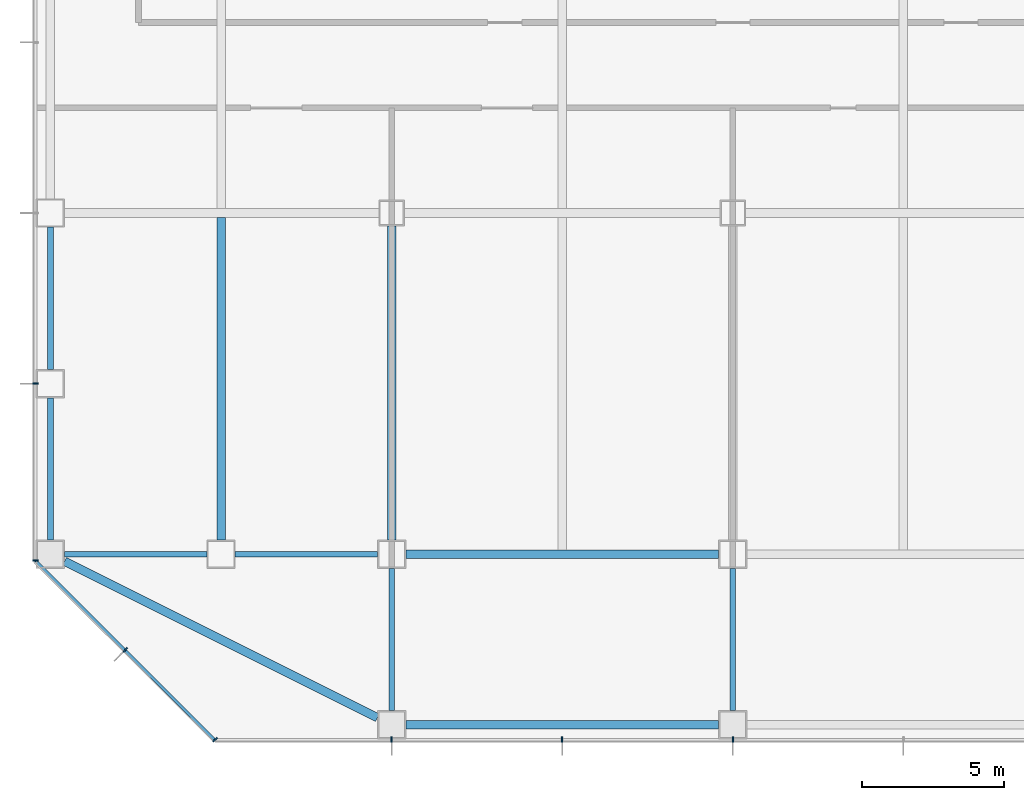
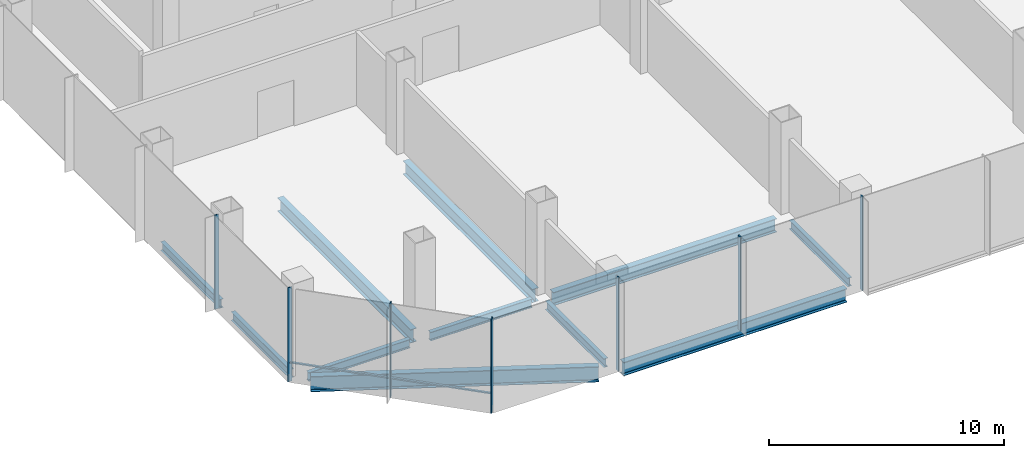
# One storey, part 2 of 34: 11 beams, 8 members, 3 elements without a shape of their own.
"""IFC4 building model written with IfcOpenShell, lengths in metres."""

from ifc_helpers import new_model, si_unit, direction, frame, origin, origin_2d, place, context, subcontext, project, spatial, rectangle, i_section, extrude, material, material_profile, profile_set, type_object, element, aggregate, save


model = new_model("IFC4")

# Units and contexts
model_context = context("Model", 3, precision=1e-05, world=origin(), true_north=direction((0.0, 1.0)))
body_context = subcontext(model_context, "Body", "Model", "MODEL_VIEW")
ifc_project = project(units=[si_unit("LENGTHUNIT", "METRE"), si_unit("AREAUNIT", "SQUARE_METRE"), si_unit("VOLUMEUNIT", "CUBIC_METRE"), si_unit("PLANEANGLEUNIT", "RADIAN"), si_unit("MASSUNIT", "GRAM", prefix="KILO")], contexts=[model_context])

# Site, building, storey
site_placement = place(None, origin())
site = spatial("IfcSite", under=ifc_project, at=site_placement, CompositionType="ELEMENT")
building_placement = place(site_placement, origin())
building = spatial("IfcBuilding", under=site, at=building_placement, Name="Sorahane Residences", CompositionType="ELEMENT")
storey_placement = place(building_placement, frame((0.0, 0.0, 39.60009765625)))
storey = spatial("IfcBuildingStorey", under=building, at=storey_placement, Name="L06", CompositionType="ELEMENT", Elevation=39.60009765625)

# Curtain wall, members
ifc_material_1 = material(Name="Dark low-e glass and black anodised aluminium", Category="aluminium")
curtain_wall_type = type_object("IfcCurtainWallType", Name="Curtain wall CW-3 Podium unitised wall", PredefinedType="NOTDEFINED", material=ifc_material_1)
curtain_wall_1_placement = place(storey_placement, origin())
curtain_wall_1 = element("IfcCurtainWall", 1, at=curtain_wall_1_placement, inside=storey, type_object=curtain_wall_type, Name="CW-3 curtain wall L06 S1", PredefinedType="NOTDEFINED")
ifc_material_2 = material(Name="Black anodised aluminium", Category="aluminium")
ifc_material_profile_1 = material_profile(ifc_material_2, rectangle(XDim=0.199951171875, YDim=0.050048828125, at=origin_2d()), Name="Curtain wall mullion CW-3 black anodised aluminium 50x200")
ifc_profile_set_1 = profile_set([ifc_material_profile_1], Name="Black anodised aluminium")
member_type_1 = type_object("IfcMemberType", Name="Curtain wall mullion CW-3 black anodised aluminium 50x200", PredefinedType="MULLION", material=ifc_profile_set_1)
member_1_placement = place(storey_placement, frame((12.0, -6.52001953125, -0.400146484375), z_axis=(0.0, 0.0, 1.0), x_axis=(0.0, -1.0, 0.0)))
member_1 = element("IfcMember", 2, at=member_1_placement, type_object=member_type_1, Name="CW-3 mullion L06 S1.2", PredefinedType="MULLION", context=body_context, shape_type="SweptSolid", body=[
    extrude(rectangle(XDim=0.199951171875, YDim=0.050048828125, at=origin_2d()), origin(), (0.0, 0.0, 1.0), 4.900146484375),
])
member_2_placement = place(storey_placement, frame((18.0, -6.52001953125, -0.400146484375), z_axis=(0.0, 0.0, 1.0), x_axis=(0.0, -1.0, 0.0)))
member_2 = element("IfcMember", 3, at=member_2_placement, type_object=member_type_1, Name="CW-3 mullion L06 S1.3", PredefinedType="MULLION", context=body_context, shape_type="SweptSolid", body=[
    extrude(rectangle(XDim=0.199951171875, YDim=0.050048828125, at=origin_2d()), origin(), (0.0, 0.0, 1.0), 4.900146484375),
])
member_3_placement = place(storey_placement, frame((24.0, -6.52001953125, -0.400146484375), z_axis=(0.0, 0.0, 1.0), x_axis=(0.0, -1.0, 0.0)))
member_3 = element("IfcMember", 4, at=member_3_placement, type_object=member_type_1, Name="CW-3 mullion L06 S1.4", PredefinedType="MULLION", context=body_context, shape_type="SweptSolid", body=[
    extrude(rectangle(XDim=0.199951171875, YDim=0.050048828125, at=origin_2d()), origin(), (0.0, 0.0, 1.0), 4.900146484375),
])
aggregate(curtain_wall_1, [member_1, member_2, member_3])

curtain_wall_2_placement = place(storey_placement, origin())
curtain_wall_2 = element("IfcCurtainWall", 5, at=curtain_wall_2_placement, inside=storey, type_object=curtain_wall_type, Name="CW-3 curtain wall L06 W1", PredefinedType="NOTDEFINED")
member_4_placement = place(storey_placement, frame((-0.52001953125, 6.0, -0.400146484375), z_axis=(0.0, 0.0, 1.0), x_axis=(-1.0, 0.0, 0.0)))
member_4 = element("IfcMember", 6, at=member_4_placement, type_object=member_type_1, Name="CW-3 mullion L06 W1.8", PredefinedType="MULLION", context=body_context, shape_type="SweptSolid", body=[
    extrude(rectangle(XDim=0.199951171875, YDim=0.050048828125, at=origin_2d()), origin(), (0.0, 0.0, 1.0), 4.900146484375),
])
member_5_placement = place(storey_placement, frame((-0.52001953125, -0.2236328125, -0.400146484375), z_axis=(0.0, 0.0, 1.0), x_axis=(-1.0, 0.0, 0.0)))
member_5 = element("IfcMember", 7, at=member_5_placement, type_object=member_type_1, Name="CW-3 mullion L06 W1.9", PredefinedType="MULLION", context=body_context, shape_type="SweptSolid", body=[
    extrude(rectangle(XDim=0.199951171875, YDim=0.050048828125, at=origin_2d()), origin(), (0.0, 0.0, 1.0), 4.900146484375),
])
aggregate(curtain_wall_2, [member_4, member_5])

curtain_wall_3_placement = place(storey_placement, origin())
curtain_wall_3 = element("IfcCurtainWall", 8, at=curtain_wall_3_placement, inside=storey, type_object=curtain_wall_type, Name="CW-3 curtain wall L06 SW1", PredefinedType="NOTDEFINED")
member_6_placement = place(storey_placement, frame((2.63232421875, -3.36767578125, -0.400146484375), z_axis=(0.0, 0.0, 1.0), x_axis=(-0.707106781187, -0.707106781187, 0.0)))
member_6 = element("IfcMember", 9, at=member_6_placement, type_object=member_type_1, Name="CW-3 mullion L06 SW1.2", PredefinedType="MULLION", context=body_context, shape_type="SweptSolid", body=[
    extrude(rectangle(XDim=0.199951171875, YDim=0.050048828125, at=origin_2d()), origin(), (0.0, 0.0, 1.0), 4.900146484375),
])
member_7_placement = place(storey_placement, frame((5.790283203125, -6.525634765625, -0.400146484375), z_axis=(0.0, 0.0, 1.0), x_axis=(-0.707106781187, -0.707106781187, 0.0)))
member_7 = element("IfcMember", 10, at=member_7_placement, type_object=member_type_1, Name="CW-3 mullion L06 SW1.3", PredefinedType="MULLION", context=body_context, shape_type="SweptSolid", body=[
    extrude(rectangle(XDim=0.199951171875, YDim=0.050048828125, at=origin_2d()), origin(), (0.0, 0.0, 1.0), 4.900146484375),
])
ifc_material_3 = material(Name="Black anodised aluminium", Category="aluminium")
ifc_material_profile_2 = material_profile(ifc_material_3, rectangle(XDim=0.10009765625, YDim=0.06005859375, at=origin_2d()), Name="Curtain wall transom CW-3 black anodised aluminium 60x100")
ifc_profile_set_2 = profile_set([ifc_material_profile_2], Name="Black anodised aluminium")
member_type_2 = type_object("IfcMemberType", Name="Curtain wall transom CW-3 black anodised aluminium 60x100", PredefinedType="USERDEFINED", material=ifc_profile_set_2)
member_8_placement = place(storey_placement, frame((-0.51513671875, -0.234375, 0.599853515625), z_axis=(0.707106781187, -0.707106781187, 0.0), x_axis=(0.707106781187, 0.707106781187, 0.0)))
member_8 = element("IfcMember", 11, at=member_8_placement, type_object=member_type_2, Name="CW-3 transom L06 SW1", ObjectType="TRANSOM", PredefinedType="USERDEFINED", context=body_context, shape_type="SweptSolid", body=[
    extrude(rectangle(XDim=0.10009765625, YDim=0.06005859375, at=origin_2d()), origin(), (0.0, 0.0, 1.0), 8.88232421875),
])
aggregate(curtain_wall_3, [member_6, member_7, member_8])

# Beams
ifc_material_4 = material(Name="Steel Q355B", Category="steel")
ifc_material_profile_3 = material_profile(ifc_material_4, i_section(OverallWidth=0.199951171875, OverallDepth=0.449951171875, WebThickness=0.009033203125, FlangeThickness=0.013916015625, FilletRadius=0.02001953125, at=origin_2d()), Name="HN 450x200x9x14")
ifc_profile_set_3 = profile_set([ifc_material_profile_3], Name="Steel Q355B")
beam_type_1 = type_object("IfcBeamType", Name="Steel floor beam HN 450x200x9x14 Q355B", PredefinedType="BEAM", material=ifc_profile_set_3)
for number, where, z_axis, x_axis, name in (
    (12, (0.5, 0.0, -0.625), (1.0, 0.0, 0.0), (0.0, 1.0, 0.0), "Beam L06 000"),
    (13, (6.5, 0.0, -0.625), (1.0, 0.0, 0.0), (0.0, 1.0, 0.0), "Beam L06 001"),
    (14, (0.0, 0.5, -0.625), (0.0, 1.0, 0.0), (-1.0, 0.0, 0.0), "Beam L06 024"),
    (15, (0.0, 6.5, -0.625), (0.0, 1.0, 0.0), (-1.0, 0.0, 0.0), "Beam L06 025"),
    (16, (12.0, -5.5, -0.625), (0.0, 1.0, 0.0), (-1.0, 0.0, 0.0), "Beam L06 035"),
    (17, (24.0, -5.5, -0.625), (0.0, 1.0, 0.0), (-1.0, 0.0, 0.0), "Beam L06 044"),
):
    element("IfcBeam", number, at=place(storey_placement, frame(where, z_axis=z_axis, x_axis=x_axis)), inside=storey, type_object=beam_type_1, Name=name, PredefinedType="BEAM", context=body_context, shape_type="SweptSolid", body=[
        extrude(i_section(OverallWidth=0.199951171875, OverallDepth=0.449951171875, WebThickness=0.009033203125, FlangeThickness=0.013916015625, FilletRadius=0.02001953125, at=origin_2d()), origin(), (0.0, 0.0, 1.0), 5.0),
    ])
ifc_material_5 = material(Name="Steel Q355B", Category="steel")
ifc_material_profile_4 = material_profile(ifc_material_5, i_section(OverallWidth=0.300048828125, OverallDepth=0.699951171875, WebThickness=0.012939453125, FlangeThickness=0.02392578125, FilletRadius=0.028076171875, at=origin_2d()), Name="HN 700x300x13x24")
ifc_profile_set_4 = profile_set([ifc_material_profile_4], Name="Steel Q355B")
beam_type_2 = type_object("IfcBeamType", Name="Steel floor beam HN 700x300x13x24 Q355B", PredefinedType="BEAM", material=ifc_profile_set_4)
beam_1_placement = place(storey_placement, frame((12.5, 0.0, -0.75), z_axis=(1.0, 0.0, 0.0), x_axis=(0.0, 1.0, 0.0)))
element("IfcBeam", 18, at=beam_1_placement, inside=storey, type_object=beam_type_2, Name="Beam L06 002", PredefinedType="BEAM", context=body_context, shape_type="SweptSolid", body=[
    extrude(i_section(OverallWidth=0.300048828125, OverallDepth=0.699951171875, WebThickness=0.012939453125, FlangeThickness=0.02392578125, FilletRadius=0.028076171875, at=origin_2d()), origin(), (0.0, 0.0, 1.0), 11.0),
])
beam_2_placement = place(storey_placement, frame((6.0, 0.5, -0.75), z_axis=(0.0, 1.0, 0.0), x_axis=(-1.0, 0.0, 0.0)))
element("IfcBeam", 19, at=beam_2_placement, inside=storey, type_object=beam_type_2, Name="Beam L06 029", PredefinedType="BEAM", context=body_context, shape_type="SweptSolid", body=[
    extrude(i_section(OverallWidth=0.300048828125, OverallDepth=0.699951171875, WebThickness=0.012939453125, FlangeThickness=0.02392578125, FilletRadius=0.028076171875, at=origin_2d()), origin(), (0.0, 0.0, 1.0), 11.35009765625),
])
beam_3_placement = place(storey_placement, frame((12.0, 0.5, -0.75), z_axis=(0.0, 1.0, 0.0), x_axis=(-1.0, 0.0, 0.0)))
element("IfcBeam", 20, at=beam_3_placement, inside=storey, type_object=beam_type_2, Name="Beam L06 036", PredefinedType="BEAM", context=body_context, shape_type="SweptSolid", body=[
    extrude(i_section(OverallWidth=0.300048828125, OverallDepth=0.699951171875, WebThickness=0.012939453125, FlangeThickness=0.02392578125, FilletRadius=0.028076171875, at=origin_2d()), origin(), (0.0, 0.0, 1.0), 11.050048828125),
])
beam_4_placement = place(storey_placement, frame((12.5, -6.0, -0.75), z_axis=(1.0, 0.0, 0.0), x_axis=(0.0, 1.0, 0.0)))
element("IfcBeam", 21, at=beam_4_placement, inside=storey, type_object=beam_type_2, Name="Beam L06 079", PredefinedType="BEAM", context=body_context, shape_type="SweptSolid", body=[
    extrude(i_section(OverallWidth=0.300048828125, OverallDepth=0.699951171875, WebThickness=0.012939453125, FlangeThickness=0.02392578125, FilletRadius=0.028076171875, at=origin_2d()), origin(), (0.0, 0.0, 1.0), 11.0),
])
ifc_material_6 = material(Name="Steel Q355B", Category="steel")
ifc_material_profile_5 = material_profile(ifc_material_6, i_section(OverallWidth=0.300048828125, OverallDepth=0.800048828125, WebThickness=0.013916015625, FlangeThickness=0.02587890625, FilletRadius=0.028076171875, at=origin_2d()), Name="HN 800x300x14x26")
ifc_profile_set_5 = profile_set([ifc_material_profile_5], Name="Steel Q355B")
beam_type_3 = type_object("IfcBeamType", Name="Steel floor beam HN 800x300x14x26 Q355B", PredefinedType="BEAM", material=ifc_profile_set_5)
beam_5_placement = place(storey_placement, frame((0.5, -0.25, -0.800048828125), z_axis=(0.894427191, -0.4472135955, 0.0), x_axis=(0.4472135955, 0.894427191, 0.0)))
element("IfcBeam", 22, at=beam_5_placement, inside=storey, type_object=beam_type_3, Name="Beam L06 082", PredefinedType="BEAM", context=body_context, shape_type="SweptSolid", body=[
    extrude(i_section(OverallWidth=0.300048828125, OverallDepth=0.800048828125, WebThickness=0.013916015625, FlangeThickness=0.02587890625, FilletRadius=0.028076171875, at=origin_2d()), origin(), (0.0, 0.0, 1.0), 12.29833984375),
])

save(model, "model.ifc")
